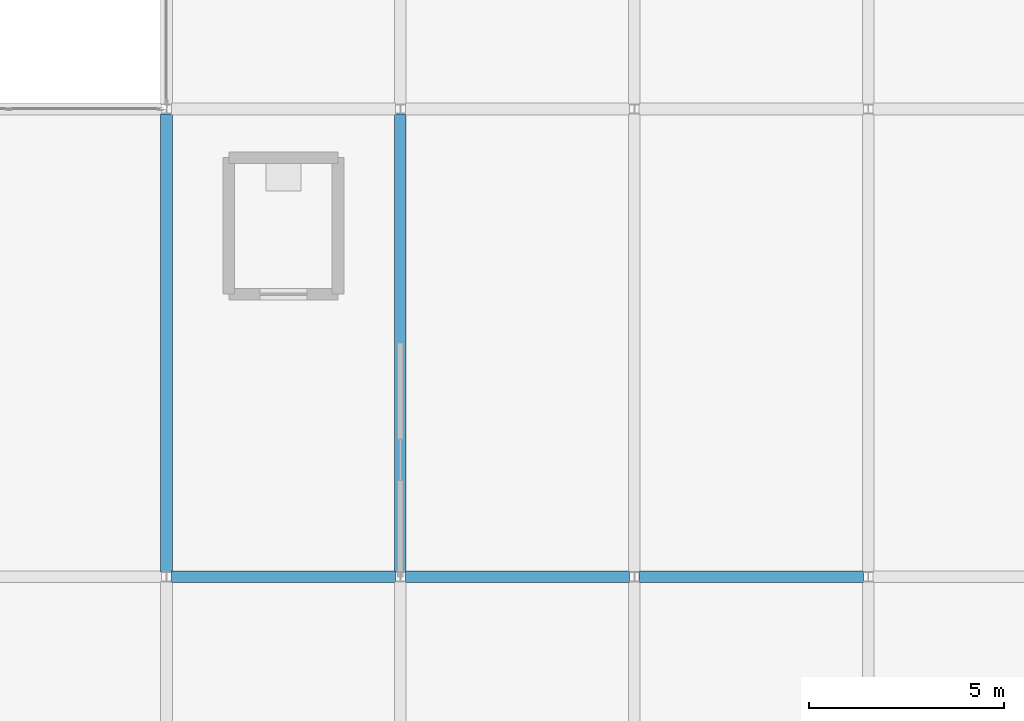
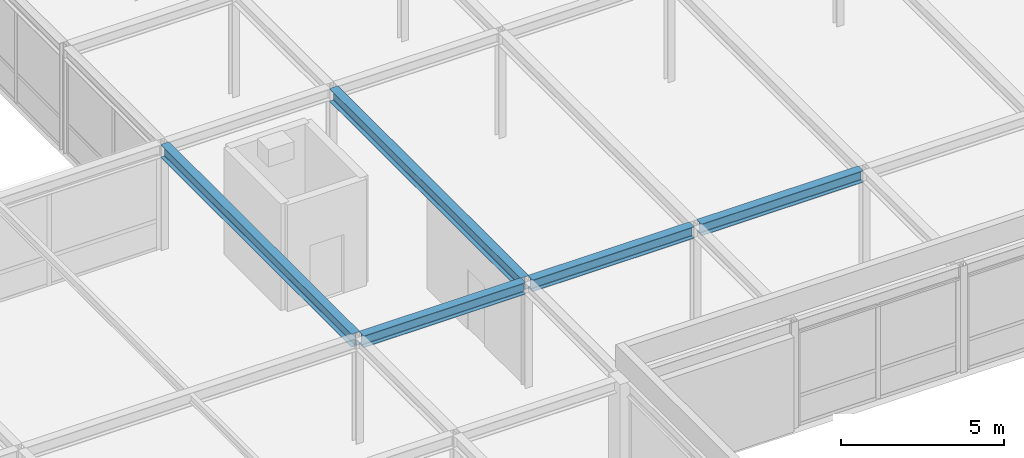
# One storey, part 39 of 111: 5 beams.
"""IFC4 building model written with IfcOpenShell, lengths in metres."""

from ifc_helpers import new_model, si_unit, direction, frame, origin, origin_2d, place, context, subcontext, project, spatial, i_section, extrude, material, material_profile, profile_set, type_object, element, save


model = new_model("IFC4")

# Units and contexts
model_context = context("Model", 3, precision=1e-05, world=origin(), true_north=direction((0.0, 1.0)))
body_context = subcontext(model_context, "Body", "Model", "MODEL_VIEW")
ifc_project = project(units=[si_unit("LENGTHUNIT", "METRE"), si_unit("AREAUNIT", "SQUARE_METRE"), si_unit("VOLUMEUNIT", "CUBIC_METRE"), si_unit("PLANEANGLEUNIT", "RADIAN"), si_unit("MASSUNIT", "GRAM", prefix="KILO")], contexts=[model_context])

# Site, building, storey
site_placement = place(None, origin())
site = spatial("IfcSite", under=ifc_project, at=site_placement, CompositionType="ELEMENT")
building_placement = place(site_placement, origin())
building = spatial("IfcBuilding", under=site, at=building_placement, Name="Zlatovratsky Civic Hall", CompositionType="ELEMENT")
storey_placement = place(building_placement, frame((0.0, 0.0, 16.5)))
storey = spatial("IfcBuildingStorey", under=building, at=storey_placement, Name="L04", CompositionType="ELEMENT", Elevation=16.5)

# Beams
ifc_material = material(Name="Steel S355", Category="steel")
ifc_material_profile_1 = material_profile(ifc_material, i_section(OverallWidth=0.300048828125, OverallDepth=0.487060546875, WebThickness=0.014404296875, FlangeThickness=0.017578125, FilletRadius=0.02392578125, at=origin_2d()), Name="50Sh2")
ifc_profile_set_1 = profile_set([ifc_material_profile_1], Name="Steel S355")
beam_type_1 = type_object("IfcBeamType", Name="Beam_ArchiveGirder_50Sh2", PredefinedType="BEAM", material=ifc_profile_set_1)
for number, where, z_axis, x_axis, name in (
    (1, (48.0, 18.125, 3.756591796875), (0.0, 1.0, 0.0), (-1.0, 0.0, 0.0), "BM-3587"),
    (2, (54.0, 18.125, 3.756591796875), (0.0, 1.0, 0.0), (-1.0, 0.0, 0.0), "BM-3604"),
):
    element("IfcBeam", number, at=place(storey_placement, frame(where, z_axis=z_axis, x_axis=x_axis)), inside=storey, type_object=beam_type_1, Name=name, PredefinedType="BEAM", context=body_context, shape_type="SweptSolid", body=[
        extrude(i_section(OverallWidth=0.300048828125, OverallDepth=0.487060546875, WebThickness=0.014404296875, FlangeThickness=0.017578125, FilletRadius=0.02392578125, at=origin_2d()), origin(), (0.0, 0.0, 1.0), 11.75),
    ])
ifc_material_profile_2 = material_profile(ifc_material, i_section(OverallWidth=0.300048828125, OverallDepth=0.43994140625, WebThickness=0.010986328125, FlangeThickness=0.01806640625, FilletRadius=0.02197265625, at=origin_2d()), Name="45Sh1")
ifc_profile_set_2 = profile_set([ifc_material_profile_2], Name="Steel S355")
beam_type_2 = type_object("IfcBeamType", Name="Beam_TowerLow_45Sh1", PredefinedType="BEAM", material=ifc_profile_set_2)
for number, where, z_axis, x_axis, name in (
    (3, (48.125, 18.0, 3.780029296875), (1.0, 0.0, 0.0), (0.0, 1.0, 0.0), "BM-3239"),
    (4, (54.125, 18.0, 3.780029296875), (1.0, 0.0, 0.0), (0.0, 1.0, 0.0), "BM-3240"),
    (5, (60.125, 18.0, 3.780029296875), (1.0, 0.0, 0.0), (0.0, 1.0, 0.0), "BM-3241"),
):
    element("IfcBeam", number, at=place(storey_placement, frame(where, z_axis=z_axis, x_axis=x_axis)), inside=storey, type_object=beam_type_2, Name=name, PredefinedType="BEAM", context=body_context, shape_type="SweptSolid", body=[
        extrude(i_section(OverallWidth=0.300048828125, OverallDepth=0.43994140625, WebThickness=0.010986328125, FlangeThickness=0.01806640625, FilletRadius=0.02197265625, at=origin_2d()), origin(), (0.0, 0.0, 1.0), 5.75),
    ])

save(model, "model.ifc")
